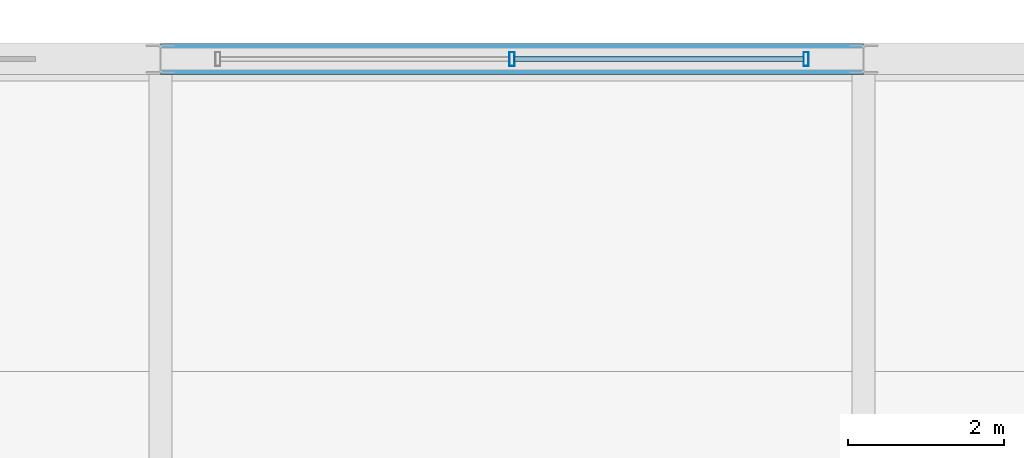
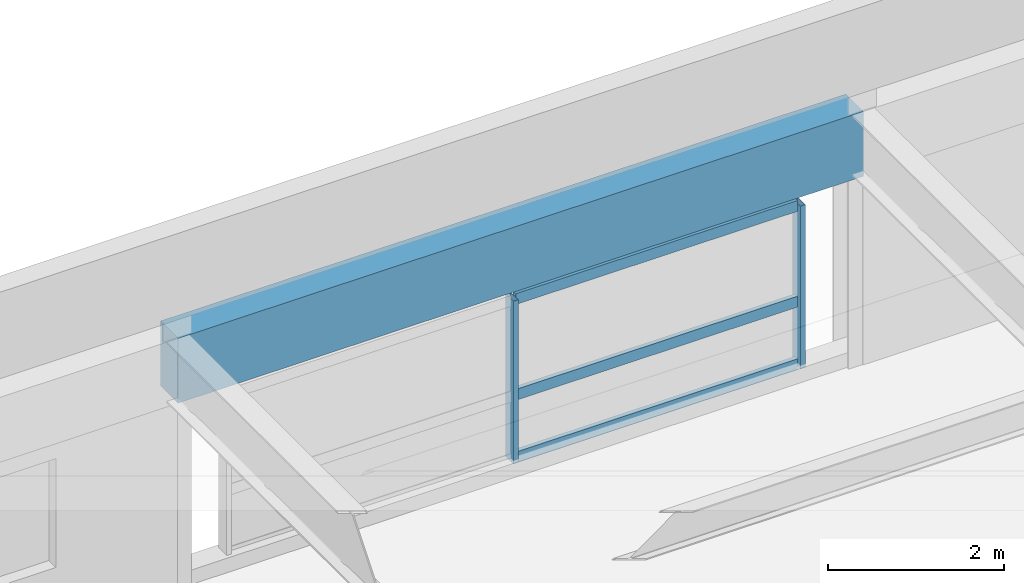
# One storey, part 83 of 108: 5 members, 1 beam, 1 element without a shape of its own.
"""IFC4 building model written with IfcOpenShell, lengths in metres."""

from ifc_helpers import new_model, si_unit, direction, frame, origin, origin_2d, place, context, subcontext, project, spatial, rectangle, hollow_rectangle, extrude, material, material_profile, profile_set, type_object, element, aggregate, save


model = new_model("IFC4")

# Units and contexts
model_context = context("Model", 3, precision=1e-05, world=origin(), true_north=direction((0.0, 1.0)))
body_context = subcontext(model_context, "Body", "Model", "MODEL_VIEW")
ifc_project = project(units=[si_unit("LENGTHUNIT", "METRE"), si_unit("AREAUNIT", "SQUARE_METRE"), si_unit("VOLUMEUNIT", "CUBIC_METRE"), si_unit("PLANEANGLEUNIT", "RADIAN"), si_unit("MASSUNIT", "GRAM", prefix="KILO")], contexts=[model_context])

# Site, building, storey
site_placement = place(None, origin())
site = spatial("IfcSite", under=ifc_project, at=site_placement, CompositionType="ELEMENT")
building_placement = place(site_placement, origin())
building = spatial("IfcBuilding", under=site, at=building_placement, Name="Kaldorvane Square Convention Centre", CompositionType="ELEMENT")
storey_placement = place(building_placement, frame((0.0, 0.0, 23.399993896484375)))
storey = spatial("IfcBuildingStorey", under=building, at=storey_placement, Name="L04", CompositionType="ELEMENT", Elevation=23.399993896484375)

# Beam
ifc_material_1 = material(Name="Concrete f'c = 42 MPa (Normalweight)", Category="concrete")
ifc_material_profile_1 = material_profile(ifc_material_1, rectangle(XDim=0.399993896484375, YDim=0.899993896484375, at=origin_2d()), Name="RCSP900X400")
ifc_profile_set_1 = profile_set([ifc_material_profile_1], Name="Concrete f'c = 42 MPa (Normalweight)")
beam_type = type_object("IfcBeamType", Name="BM-SP-RC900", PredefinedType="SPANDREL", material=ifc_profile_set_1)
beam_placement = place(storey_placement, frame((156.0, 117.0, 3.0760040283203125), z_axis=(1.0, 0.0, 0.0), x_axis=(0.0, 1.0, 0.0)))
element("IfcBeam", 1, at=beam_placement, inside=storey, type_object=beam_type, Name="Perimeter Spandrel (L04)", PredefinedType="SPANDREL", context=body_context, shape_type="SweptSolid", body=[
    extrude(rectangle(XDim=0.399993896484375, YDim=0.899993896484375, at=origin_2d()), origin(), (0.0, 0.0, 1.0), 9.0),
])

# Curtain wall, members
ifc_material_2 = material(Name="Anodized Aluminum and Low-E Insulated Glazing", Category="aluminium")
curtain_wall_type = type_object("IfcCurtainWallType", Name="CW-UNI-P42-09", PredefinedType="USERDEFINED", material=ifc_material_2)
curtain_wall_placement = place(storey_placement, origin())
curtain_wall = element("IfcCurtainWall", 2, at=curtain_wall_placement, inside=storey, type_object=curtain_wall_type, Name="Curtain Wall CW-06 (L04)", ObjectType="UNITISED GLAZING", PredefinedType="USERDEFINED")
ifc_material_profile_2 = material_profile(ifc_material_2, hollow_rectangle(XDim=0.06500244140625, YDim=0.17999267578125, WallThickness=0.0034942626953125, at=origin_2d()), Name="CWM-180X65")
ifc_profile_set_2 = profile_set([ifc_material_profile_2], Name="Anodized Aluminum and Low-E Insulated Glazing")
member_type_1 = type_object("IfcMemberType", Name="CW-MUL-180", PredefinedType="MULLION", material=ifc_profile_set_2)
member_1_placement = place(storey_placement, frame((164.2675018310547, 117.0, 0.1500091552734375), z_axis=(0.0, 0.0, 1.0), x_axis=(-1.0, 0.0, 0.0)))
member_1 = element("IfcMember", 3, at=member_1_placement, type_object=member_type_1, Name="CW-06 mullion 1", PredefinedType="MULLION", context=body_context, shape_type="SweptSolid", body=[
    extrude(hollow_rectangle(XDim=0.06500244140625, YDim=0.17999267578125, WallThickness=0.0034942626953125, at=origin_2d()), origin(), (0.0, 0.0, 1.0), 2.2599945068359375),
])
member_2_placement = place(storey_placement, frame((160.5, 117.0, 0.1500091552734375), z_axis=(0.0, 0.0, 1.0), x_axis=(-1.0, 0.0, 0.0)))
member_2 = element("IfcMember", 4, at=member_2_placement, type_object=member_type_1, Name="CW-06 mullion 2", PredefinedType="MULLION", context=body_context, shape_type="SweptSolid", body=[
    extrude(hollow_rectangle(XDim=0.06500244140625, YDim=0.17999267578125, WallThickness=0.0034942626953125, at=origin_2d()), origin(), (0.0, 0.0, 1.0), 2.2599945068359375),
])
ifc_material_profile_3 = material_profile(ifc_material_2, hollow_rectangle(XDim=0.05999755859375, YDim=0.149993896484375, WallThickness=0.003204345703125, at=origin_2d()), Name="CWT-150X60")
ifc_profile_set_3 = profile_set([ifc_material_profile_3], Name="Anodized Aluminum and Low-E Insulated Glazing")
member_type_2 = type_object("IfcMemberType", Name="CW-TRN-150", PredefinedType="USERDEFINED", material=ifc_profile_set_3)
member_3_placement = place(storey_placement, frame((164.23500061035156, 117.0, 0.1800079345703125), z_axis=(-1.0, 0.0, 0.0), x_axis=(0.0, -1.0, 0.0)))
member_3 = element("IfcMember", 5, at=member_3_placement, type_object=member_type_2, Name="CW-06 transom 1.1", ObjectType="TRANSOM", PredefinedType="USERDEFINED", context=body_context, shape_type="SweptSolid", body=[
    extrude(hollow_rectangle(XDim=0.05999755859375, YDim=0.149993896484375, WallThickness=0.003204345703125, at=origin_2d()), origin(), (0.0, 0.0, 1.0), 3.7024993896484375),
])
member_4_placement = place(storey_placement, frame((164.23500061035156, 117.0, 1.0500030517578125), z_axis=(-1.0, 0.0, 0.0), x_axis=(0.0, -1.0, 0.0)))
member_4 = element("IfcMember", 6, at=member_4_placement, type_object=member_type_2, Name="CW-06 transom 1.2", ObjectType="TRANSOM", PredefinedType="USERDEFINED", context=body_context, shape_type="SweptSolid", body=[
    extrude(hollow_rectangle(XDim=0.05999755859375, YDim=0.149993896484375, WallThickness=0.003204345703125, at=origin_2d()), origin(), (0.0, 0.0, 1.0), 3.7024993896484375),
])
member_5_placement = place(storey_placement, frame((164.23500061035156, 117.0, 2.3800048828125), z_axis=(-1.0, 0.0, 0.0), x_axis=(0.0, -1.0, 0.0)))
member_5 = element("IfcMember", 7, at=member_5_placement, type_object=member_type_2, Name="CW-06 transom 1.3", ObjectType="TRANSOM", PredefinedType="USERDEFINED", context=body_context, shape_type="SweptSolid", body=[
    extrude(hollow_rectangle(XDim=0.05999755859375, YDim=0.149993896484375, WallThickness=0.003204345703125, at=origin_2d()), origin(), (0.0, 0.0, 1.0), 3.7024993896484375),
])
aggregate(curtain_wall, [member_1, member_2, member_3, member_4, member_5])

save(model, "model.ifc")
